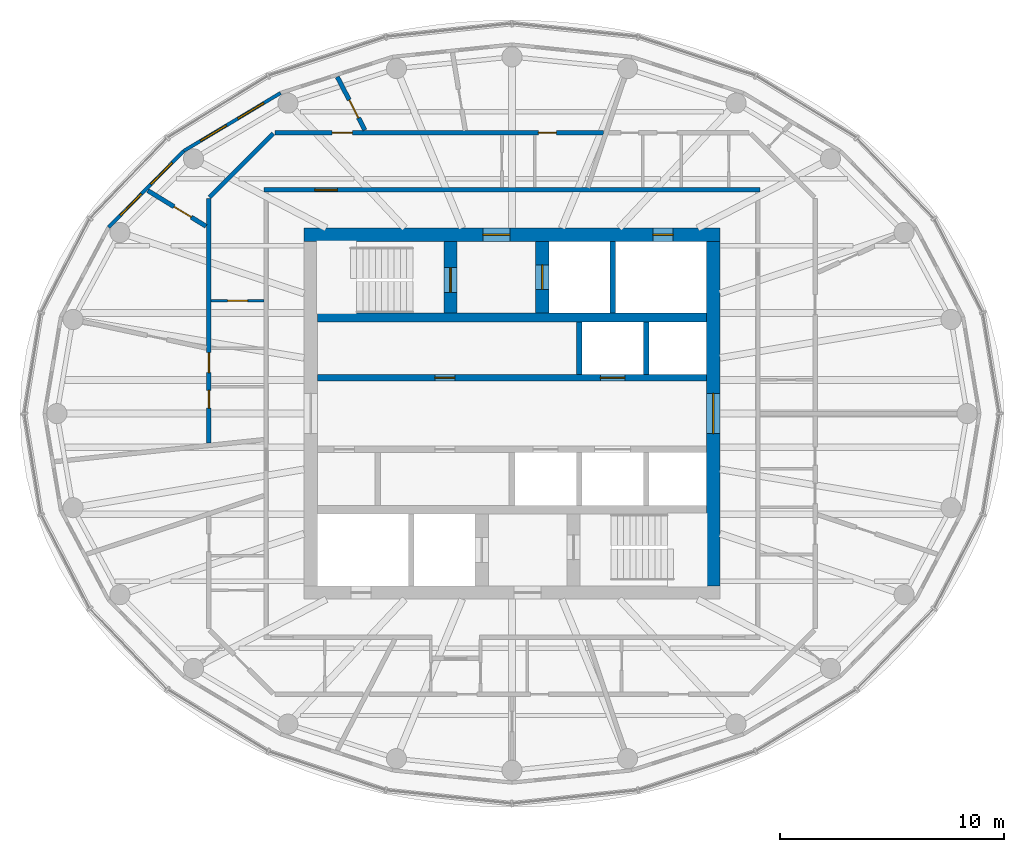
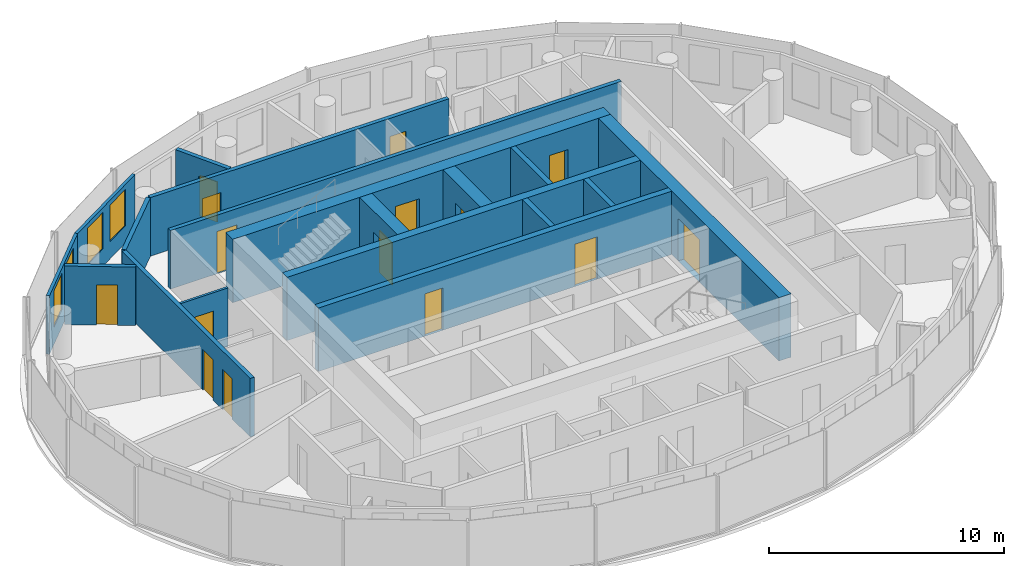
# One storey, part 7 of 11: 18 walls, 15 doors, 4 windows, 19 openings.
"""IFC4 building model written with IfcOpenShell, lengths in metres."""

from ifc_helpers import new_model, si_unit, direction, frame, frame_2d, origin, place, context, subcontext, project, spatial, rectangle, extrude, material, layer, layer_set, type_object, element, fill, save


model = new_model("IFC4")

# Units and contexts
model_context = context("Model", 3, precision=1e-05, world=origin(), true_north=direction((0.0, 1.0)))
body_context = subcontext(model_context, "Body", "Model", "MODEL_VIEW")
ifc_project = project(units=[si_unit("LENGTHUNIT", "METRE"), si_unit("AREAUNIT", "SQUARE_METRE"), si_unit("VOLUMEUNIT", "CUBIC_METRE"), si_unit("PLANEANGLEUNIT", "RADIAN"), si_unit("MASSUNIT", "GRAM", prefix="KILO")], contexts=[model_context])

# Site, building, storey
site_placement = place(None, origin())
site = spatial("IfcSite", under=ifc_project, at=site_placement, CompositionType="ELEMENT")
building_placement = place(site_placement, origin())
building = spatial("IfcBuilding", under=site, at=building_placement, Name="Hankou Lantern Tower", CompositionType="ELEMENT")
storey_placement = place(building_placement, frame((0.0, 0.0, 229.199951171875)))
storey = spatial("IfcBuildingStorey", under=building, at=storey_placement, Name="L62", CompositionType="ELEMENT", Elevation=229.199951171875)

# Wall, openings, doors
ifc_material_1 = material(Name="Concrete C60", Category="concrete")
ifc_layer_1 = layer(ifc_material_1, 0.60009765625)
ifc_layer_set_1 = layer_set([ifc_layer_1], Name="Concrete C60")
wall_type_1 = type_object("IfcWallType", Name="CW3 CORE WALL 600", PredefinedType="SHEAR", material=ifc_layer_set_1)
wall_1_placement = place(storey_placement, frame((-9.300048828125, 8.0, 0.0), z_axis=(0.0, 0.0, 1.0), x_axis=(1.0, 0.0, 0.0)))
wall_1 = element("IfcWall", 1, at=wall_1_placement, inside=storey, type_object=wall_type_1, Name="Core wall north L62", PredefinedType="SHEAR", context=body_context, shape_type="SweptSolid", body=[
    extrude(rectangle(XDim=18.60009765625, YDim=0.60009765625, at=frame_2d((9.300048828125, 0.0))), origin(), (0.0, 0.0, 1.0), 3.300048828125),
])
opening_1_placement = place(wall_1_placement, frame((8.0, 0.0, 0.0)))
opening_1 = element("IfcOpeningElement", 2, at=opening_1_placement, cuts=wall_1, Name="Opening D5", PredefinedType="OPENING", context=body_context, shape_type="SweptSolid", body=[
    extrude(rectangle(XDim=1.199951171875, YDim=2.199951171875, at=frame_2d((0.60009765625, 1.10009765625))), frame((0.0, 0.31005859375, 0.0), z_axis=(0.0, -1.0, 0.0), x_axis=(1.0, 0.0, 0.0)), (0.0, 0.0, 1.0), 0.6201171875),
])
opening_2_placement = place(wall_1_placement, frame((15.60009765625, 0.0, 0.0)))
opening_2 = element("IfcOpeningElement", 3, at=opening_2_placement, cuts=wall_1, Name="Opening D7", PredefinedType="OPENING", context=body_context, shape_type="SweptSolid", body=[
    extrude(rectangle(XDim=0.89990234375, YDim=2.199951171875, at=frame_2d((0.449951171875, 1.10009765625))), frame((0.0, 0.31005859375, 0.0), z_axis=(0.0, -1.0, 0.0), x_axis=(1.0, 0.0, 0.0)), (0.0, 0.0, 1.0), 0.6201171875),
])
ifc_material_2 = material(Name="Steel door leaf", Category="steel")
door_type_1 = type_object("IfcDoorType", Name="D5 STAIR LOBBY DOOR 1200X2200", OperationType="SINGLE_SWING_LEFT", PredefinedType="DOOR", material=ifc_material_2)
door_1_placement = place(opening_1_placement, origin())
door_1 = element("IfcDoor", 4, at=door_1_placement, inside=storey, type_object=door_type_1, Name="Stair A lobby door", OperationType="SINGLE_SWING_LEFT", OverallHeight=2.199951171875, OverallWidth=1.199951171875, PredefinedType="DOOR", context=body_context, shape_type="SweptSolid", body=[
    extrude(rectangle(XDim=1.199951171875, YDim=2.199951171875, at=frame_2d((0.60009765625, 1.10009765625))), frame((0.0, 0.02490234375, 0.0), z_axis=(0.0, -1.0, 0.0), x_axis=(1.0, 0.0, 0.0)), (0.0, 0.0, 1.0), 0.050048828125),
])
fill(opening_1, door_1)
ifc_material_3 = material(Name="Steel door leaf", Category="steel")
door_type_2 = type_object("IfcDoorType", Name="D7 RISER DOOR 900X2200", OperationType="SINGLE_SWING_LEFT", PredefinedType="DOOR", material=ifc_material_3)
door_2_placement = place(opening_2_placement, origin())
door_2 = element("IfcDoor", 5, at=door_2_placement, inside=storey, type_object=door_type_2, Name="Riser N1 door", OperationType="SINGLE_SWING_RIGHT", OverallHeight=2.199951171875, OverallWidth=0.89990234375, PredefinedType="DOOR", context=body_context, shape_type="SweptSolid", body=[
    extrude(rectangle(XDim=0.89990234375, YDim=2.199951171875, at=frame_2d((0.449951171875, 1.10009765625))), frame((0.0, 0.02490234375, 0.0), z_axis=(0.0, -1.0, 0.0), x_axis=(1.0, 0.0, 0.0)), (0.0, 0.0, 1.0), 0.050048828125),
])
fill(opening_2, door_2)

# Wall, opening, door
wall_2_placement = place(storey_placement, frame((9.0, -7.699951171875, 0.0), z_axis=(0.0, 0.0, 1.0), x_axis=(0.0, 1.0, 0.0)))
wall_2 = element("IfcWall", 6, at=wall_2_placement, inside=storey, type_object=wall_type_1, Name="Core wall east L62", PredefinedType="SHEAR", context=body_context, shape_type="SweptSolid", body=[
    extrude(rectangle(XDim=15.39990234375, YDim=0.60009765625, at=frame_2d((7.699951171875, 0.0))), origin(), (0.0, 0.0, 1.0), 3.300048828125),
])
opening_3_placement = place(wall_2_placement, frame((6.800048828125, 0.0, 0.0)))
opening_3 = element("IfcOpeningElement", 7, at=opening_3_placement, cuts=wall_2, Name="Opening D6", PredefinedType="OPENING", context=body_context, shape_type="SweptSolid", body=[
    extrude(rectangle(XDim=1.800048828125, YDim=2.199951171875, at=frame_2d((0.89990234375, 1.10009765625))), frame((0.0, 0.31005859375, 0.0), z_axis=(0.0, -1.0, 0.0), x_axis=(1.0, 0.0, 0.0)), (0.0, 0.0, 1.0), 0.6201171875),
])
ifc_material_4 = material(Name="Steel door leaf", Category="steel")
door_type_3 = type_object("IfcDoorType", Name="D6 LIFT LOBBY DOOR 1800X2200", OperationType="DOUBLE_DOOR_DOUBLE_SWING", PredefinedType="DOOR", material=ifc_material_4)
door_3_placement = place(opening_3_placement, origin())
door_3 = element("IfcDoor", 8, at=door_3_placement, inside=storey, type_object=door_type_3, Name="Lift lobby east door", OperationType="DOUBLE_DOOR_DOUBLE_SWING", OverallHeight=2.199951171875, OverallWidth=1.800048828125, PredefinedType="DOOR", context=body_context, shape_type="SweptSolid", body=[
    extrude(rectangle(XDim=1.800048828125, YDim=2.199951171875, at=frame_2d((0.89990234375, 1.10009765625))), frame((0.0, 0.02490234375, 0.0), z_axis=(0.0, -1.0, 0.0), x_axis=(1.0, 0.0, 0.0)), (0.0, 0.0, 1.0), 0.050048828125),
])
fill(opening_3, door_3)

# Wall
ifc_material_5 = material(Name="Concrete C60", Category="concrete")
ifc_layer_2 = layer(ifc_material_5, 0.39990234375)
ifc_layer_set_2 = layer_set([ifc_layer_2], Name="Concrete C60")
wall_type_2 = type_object("IfcWallType", Name="CW4 CORE CROSS WALL 400", PredefinedType="SHEAR", material=ifc_layer_set_2)
wall_3_placement = place(storey_placement, frame((-8.699951171875, 4.300048828125, 0.0), z_axis=(0.0, 0.0, 1.0), x_axis=(1.0, 0.0, 0.0)))
element("IfcWall", 9, at=wall_3_placement, inside=storey, type_object=wall_type_2, Name="Core band wall north L62", PredefinedType="SHEAR", context=body_context, shape_type="SweptSolid", body=[
    extrude(rectangle(XDim=17.39990234375, YDim=0.39990234375, at=frame_2d((8.699951171875, 0.0))), origin(), (0.0, 0.0, 1.0), 3.300048828125),
])

# Wall, openings, doors
ifc_material_6 = material(Name="Concrete C60", Category="concrete")
ifc_layer_3 = layer(ifc_material_6, 0.300048828125)
ifc_layer_set_3 = layer_set([ifc_layer_3], Name="Concrete C60")
wall_type_3 = type_object("IfcWallType", Name="CW5 LIFT LOBBY WALL 300", PredefinedType="SHEAR", material=ifc_layer_set_3)
wall_4_placement = place(storey_placement, frame((-8.699951171875, 1.60009765625, 0.0), z_axis=(0.0, 0.0, 1.0), x_axis=(1.0, 0.0, 0.0)))
wall_4 = element("IfcWall", 10, at=wall_4_placement, inside=storey, type_object=wall_type_3, Name="Lift lobby wall north L62", PredefinedType="SHEAR", context=body_context, shape_type="SweptSolid", body=[
    extrude(rectangle(XDim=17.39990234375, YDim=0.300048828125, at=frame_2d((8.699951171875, 0.0))), origin(), (0.0, 0.0, 1.0), 3.300048828125),
])
opening_4_placement = place(wall_4_placement, frame((12.64990234375, 0.0, 0.0)))
opening_4 = element("IfcOpeningElement", 11, at=opening_4_placement, cuts=wall_4, Name="Opening LD1", PredefinedType="OPENING", context=body_context, shape_type="SweptSolid", body=[
    extrude(rectangle(XDim=1.10009765625, YDim=2.199951171875, at=frame_2d((0.550048828125, 1.10009765625))), frame((0.0, 0.159912109375, 0.0), z_axis=(0.0, -1.0, 0.0), x_axis=(1.0, 0.0, 0.0)), (0.0, 0.0, 1.0), 0.320068359375),
])
opening_5_placement = place(wall_4_placement, frame((5.25, 0.0, 0.0)))
opening_5 = element("IfcOpeningElement", 12, at=opening_5_placement, cuts=wall_4, Name="Opening D30", PredefinedType="OPENING", context=body_context, shape_type="SweptSolid", body=[
    extrude(rectangle(XDim=0.89990234375, YDim=2.199951171875, at=frame_2d((0.449951171875, 1.10009765625))), frame((0.0, 0.159912109375, 0.0), z_axis=(0.0, -1.0, 0.0), x_axis=(1.0, 0.0, 0.0)), (0.0, 0.0, 1.0), 0.320068359375),
])
ifc_material_7 = material(Name="Steel door leaf", Category="steel")
door_type_4 = type_object("IfcDoorType", Name="D30 CORE ROOM DOOR 900X2200", OperationType="SINGLE_SWING_LEFT", PredefinedType="DOOR", material=ifc_material_7)
door_4_placement = place(opening_5_placement, origin())
door_4 = element("IfcDoor", 13, at=door_4_placement, inside=storey, type_object=door_type_4, Name="Housekeeping and linen store door", OperationType="SINGLE_SWING_LEFT", OverallHeight=2.199951171875, OverallWidth=0.89990234375, PredefinedType="DOOR", context=body_context, shape_type="SweptSolid", body=[
    extrude(rectangle(XDim=0.89990234375, YDim=2.199951171875, at=frame_2d((0.449951171875, 1.10009765625))), frame((0.0, 0.02490234375, 0.0), z_axis=(0.0, -1.0, 0.0), x_axis=(1.0, 0.0, 0.0)), (0.0, 0.0, 1.0), 0.050048828125),
])
fill(opening_5, door_4)
ifc_material_8 = material(Name="Steel door leaf", Category="steel")
door_type_5 = type_object("IfcDoorType", Name="LD1 LIFT LANDING DOOR 1100X2200", OperationType="DOUBLE_DOOR_SLIDING", PredefinedType="DOOR", material=ifc_material_8)
door_5_placement = place(opening_4_placement, origin())
door_5 = element("IfcDoor", 14, at=door_5_placement, inside=storey, type_object=door_type_5, Name="Lift T1 landing door", OperationType="DOUBLE_DOOR_SLIDING", OverallHeight=2.199951171875, OverallWidth=1.10009765625, PredefinedType="DOOR", context=body_context, shape_type="SweptSolid", body=[
    extrude(rectangle(XDim=1.10009765625, YDim=2.199951171875, at=frame_2d((0.550048828125, 1.10009765625))), frame((0.0, 0.02490234375, 0.0), z_axis=(0.0, -1.0, 0.0), x_axis=(1.0, 0.0, 0.0)), (0.0, 0.0, 1.0), 0.050048828125),
])
fill(opening_4, door_5)

# Wall, opening, door
ifc_material_9 = material(Name="Concrete C60", Category="concrete")
ifc_layer_4 = layer(ifc_material_9, 0.60009765625)
ifc_layer_set_4 = layer_set([ifc_layer_4], Name="Concrete C60")
wall_type_4 = type_object("IfcWallType", Name="CW6 STAIR AND SHAFT WALL 600", PredefinedType="SHEAR", material=ifc_layer_set_4)
wall_5_placement = place(storey_placement, frame((-2.75, 4.5, 0.0), z_axis=(0.0, 0.0, 1.0), x_axis=(0.0, 1.0, 0.0)))
wall_5 = element("IfcWall", 15, at=wall_5_placement, inside=storey, type_object=wall_type_4, Name="Stair wall L62", PredefinedType="SHEAR", context=body_context, shape_type="SweptSolid", body=[
    extrude(rectangle(XDim=3.199951171875, YDim=0.60009765625, at=frame_2d((1.60009765625, 0.0))), origin(), (0.0, 0.0, 1.0), 3.300048828125),
])
opening_6_placement = place(wall_5_placement, frame((0.925048828125, 0.0, 0.0)))
opening_6 = element("IfcOpeningElement", 16, at=opening_6_placement, cuts=wall_5, Name="Opening D4", PredefinedType="OPENING", context=body_context, shape_type="SweptSolid", body=[
    extrude(rectangle(XDim=1.10009765625, YDim=2.199951171875, at=frame_2d((0.550048828125, 1.10009765625))), frame((0.0, 0.31005859375, 0.0), z_axis=(0.0, -1.0, 0.0), x_axis=(1.0, 0.0, 0.0)), (0.0, 0.0, 1.0), 0.6201171875),
])
ifc_material_10 = material(Name="Steel door leaf", Category="steel")
door_type_6 = type_object("IfcDoorType", Name="D4 STAIR DOOR 1100X2200", OperationType="SINGLE_SWING_LEFT", PredefinedType="DOOR", material=ifc_material_10)
door_6_placement = place(opening_6_placement, origin())
door_6 = element("IfcDoor", 17, at=door_6_placement, inside=storey, type_object=door_type_6, Name="Stair A door", OperationType="SINGLE_SWING_LEFT", OverallHeight=2.199951171875, OverallWidth=1.10009765625, PredefinedType="DOOR", context=body_context, shape_type="SweptSolid", body=[
    extrude(rectangle(XDim=1.10009765625, YDim=2.199951171875, at=frame_2d((0.550048828125, 1.10009765625))), frame((0.0, 0.02490234375, 0.0), z_axis=(0.0, -1.0, 0.0), x_axis=(1.0, 0.0, 0.0)), (0.0, 0.0, 1.0), 0.050048828125),
])
fill(opening_6, door_6)

wall_6_placement = place(storey_placement, frame((1.35009765625, 4.5, 0.0), z_axis=(0.0, 0.0, 1.0), x_axis=(0.0, 1.0, 0.0)))
wall_6 = element("IfcWall", 18, at=wall_6_placement, inside=storey, type_object=wall_type_4, Name="Firefighting lift shaft wall L62", PredefinedType="SHEAR", context=body_context, shape_type="SweptSolid", body=[
    extrude(rectangle(XDim=3.199951171875, YDim=0.60009765625, at=frame_2d((1.60009765625, 0.0))), origin(), (0.0, 0.0, 1.0), 3.300048828125),
])
opening_7_placement = place(wall_6_placement, frame((1.050048828125, 0.0, 0.0)))
opening_7 = element("IfcOpeningElement", 19, at=opening_7_placement, cuts=wall_6, Name="Opening LD2", PredefinedType="OPENING", context=body_context, shape_type="SweptSolid", body=[
    extrude(rectangle(XDim=1.10009765625, YDim=2.199951171875, at=frame_2d((0.550048828125, 1.10009765625))), frame((0.0, 0.31005859375, 0.0), z_axis=(0.0, -1.0, 0.0), x_axis=(1.0, 0.0, 0.0)), (0.0, 0.0, 1.0), 0.6201171875),
])
ifc_material_11 = material(Name="Steel door leaf", Category="steel")
door_type_7 = type_object("IfcDoorType", Name="LD2 FIREFIGHTING LIFT LANDING DOOR 1100X2200", OperationType="DOUBLE_DOOR_SLIDING", PredefinedType="DOOR", material=ifc_material_11)
door_7_placement = place(opening_7_placement, origin())
door_7 = element("IfcDoor", 20, at=door_7_placement, inside=storey, type_object=door_type_7, Name="Firefighting lift FL1 landing door", OperationType="DOUBLE_DOOR_SLIDING", OverallHeight=2.199951171875, OverallWidth=1.10009765625, PredefinedType="DOOR", context=body_context, shape_type="SweptSolid", body=[
    extrude(rectangle(XDim=1.10009765625, YDim=2.199951171875, at=frame_2d((0.550048828125, 1.10009765625))), frame((0.0, 0.02490234375, 0.0), z_axis=(0.0, -1.0, 0.0), x_axis=(1.0, 0.0, 0.0)), (0.0, 0.0, 1.0), 0.050048828125),
])
fill(opening_7, door_7)

# Wall, openings, windows
ifc_material_12 = material(Name="Aluminium spandrel panel on steel studs", Category="steel")
ifc_layer_5 = layer(ifc_material_12, 0.14990234375)
ifc_layer_set_5 = layer_set([ifc_layer_5], Name="Aluminium spandrel panel on steel studs")
wall_type_5 = type_object("IfcWallType", Name="EW1 INNER SKIN WALL 150", PredefinedType="ELEMENTEDWALL", material=ifc_layer_set_5)
wall_7_placement = place(storey_placement, frame((-10.346435546875, 14.33642578125, 0.0), z_axis=(0.0, 0.0, 1.0), x_axis=(-0.85822150553, -0.513279502265, 0.0)))
wall_7 = element("IfcWall", 21, at=wall_7_placement, inside=storey, type_object=wall_type_5, Name="Inner skin R09-R10 L62", PredefinedType="ELEMENTEDWALL", context=body_context, shape_type="SweptSolid", body=[
    extrude(rectangle(XDim=5.050048828125, YDim=0.14990234375, at=frame_2d((2.52490234375, 0.0))), origin(), (0.0, 0.0, 1.0), 3.050048828125),
])
opening_8_placement = place(wall_7_placement, frame((0.875, 0.0, 0.89990234375)))
opening_8 = element("IfcOpeningElement", 22, at=opening_8_placement, cuts=wall_7, Name="Opening W4", PredefinedType="OPENING", context=body_context, shape_type="SweptSolid", body=[
    extrude(rectangle(XDim=1.35009765625, YDim=1.89990234375, at=frame_2d((0.675048828125, 0.949951171875))), frame((0.0, 0.0849609375, 0.0), z_axis=(0.0, -1.0, 0.0), x_axis=(1.0, 0.0, 0.0)), (0.0, 0.0, 1.0), 0.169921875),
])
opening_9_placement = place(wall_7_placement, frame((2.824951171875, 0.0, 0.89990234375)))
opening_9 = element("IfcOpeningElement", 23, at=opening_9_placement, cuts=wall_7, Name="Opening W4", PredefinedType="OPENING", context=body_context, shape_type="SweptSolid", body=[
    extrude(rectangle(XDim=1.35009765625, YDim=1.89990234375, at=frame_2d((0.675048828125, 0.949951171875))), frame((0.0, 0.0849609375, 0.0), z_axis=(0.0, -1.0, 0.0), x_axis=(1.0, 0.0, 0.0)), (0.0, 0.0, 1.0), 0.169921875),
])
ifc_material_13 = material(Name="Aluminium framed double glazed window", Category="aluminium")
window_type = type_object("IfcWindowType", Name="W4 SUITE WINDOW 1350X1900", PartitioningType="DOUBLE_PANEL_VERTICAL", PredefinedType="WINDOW", material=ifc_material_13)
window_1_placement = place(opening_8_placement, origin())
window_1 = element("IfcWindow", 24, at=window_1_placement, inside=storey, type_object=window_type, Name="Window R09.1 L62", OverallHeight=1.89990234375, OverallWidth=1.35009765625, PartitioningType="SINGLE_PANEL", PredefinedType="WINDOW", context=body_context, shape_type="SweptSolid", body=[
    extrude(rectangle(XDim=1.35009765625, YDim=1.89990234375, at=frame_2d((0.675048828125, 0.949951171875))), frame((0.0, 0.030029296875, 0.0), z_axis=(0.0, -1.0, 0.0), x_axis=(1.0, 0.0, 0.0)), (0.0, 0.0, 1.0), 0.06005859375),
])
fill(opening_8, window_1)
window_2_placement = place(opening_9_placement, origin())
window_2 = element("IfcWindow", 25, at=window_2_placement, inside=storey, type_object=window_type, Name="Window R09.2 L62", OverallHeight=1.89990234375, OverallWidth=1.35009765625, PartitioningType="SINGLE_PANEL", PredefinedType="WINDOW", context=body_context, shape_type="SweptSolid", body=[
    extrude(rectangle(XDim=1.35009765625, YDim=1.89990234375, at=frame_2d((0.675048828125, 0.949951171875))), frame((0.0, 0.030029296875, 0.0), z_axis=(0.0, -1.0, 0.0), x_axis=(1.0, 0.0, 0.0)), (0.0, 0.0, 1.0), 0.06005859375),
])
fill(opening_9, window_2)

wall_8_placement = place(storey_placement, frame((-14.680419921875, 11.744384765625, 0.0), z_axis=(0.0, 0.0, 1.0), x_axis=(-0.701527379618, -0.712642501993, 0.0)))
wall_8 = element("IfcWall", 26, at=wall_8_placement, inside=storey, type_object=wall_type_5, Name="Inner skin R10-R11 L62", PredefinedType="ELEMENTEDWALL", context=body_context, shape_type="SweptSolid", body=[
    extrude(rectangle(XDim=4.788330078125, YDim=0.14990234375, at=frame_2d((2.39404296875, 0.0))), origin(), (0.0, 0.0, 1.0), 3.050048828125),
])
opening_10_placement = place(wall_8_placement, frame((0.744140625, 0.0, 0.89990234375)))
opening_10 = element("IfcOpeningElement", 27, at=opening_10_placement, cuts=wall_8, Name="Opening W4", PredefinedType="OPENING", context=body_context, shape_type="SweptSolid", body=[
    extrude(rectangle(XDim=1.35009765625, YDim=1.89990234375, at=frame_2d((0.675048828125, 0.949951171875))), frame((0.0, 0.0849609375, 0.0), z_axis=(0.0, -1.0, 0.0), x_axis=(1.0, 0.0, 0.0)), (0.0, 0.0, 1.0), 0.169921875),
])
opening_11_placement = place(wall_8_placement, frame((2.694091796875, 0.0, 0.89990234375)))
opening_11 = element("IfcOpeningElement", 28, at=opening_11_placement, cuts=wall_8, Name="Opening W4", PredefinedType="OPENING", context=body_context, shape_type="SweptSolid", body=[
    extrude(rectangle(XDim=1.35009765625, YDim=1.89990234375, at=frame_2d((0.675048828125, 0.949951171875))), frame((0.0, 0.0849609375, 0.0), z_axis=(0.0, -1.0, 0.0), x_axis=(1.0, 0.0, 0.0)), (0.0, 0.0, 1.0), 0.169921875),
])
window_3_placement = place(opening_10_placement, origin())
window_3 = element("IfcWindow", 29, at=window_3_placement, inside=storey, type_object=window_type, Name="Window R10.1 L62", OverallHeight=1.89990234375, OverallWidth=1.35009765625, PartitioningType="SINGLE_PANEL", PredefinedType="WINDOW", context=body_context, shape_type="SweptSolid", body=[
    extrude(rectangle(XDim=1.35009765625, YDim=1.89990234375, at=frame_2d((0.675048828125, 0.949951171875))), frame((0.0, 0.030029296875, 0.0), z_axis=(0.0, -1.0, 0.0), x_axis=(1.0, 0.0, 0.0)), (0.0, 0.0, 1.0), 0.06005859375),
])
fill(opening_10, window_3)
window_4_placement = place(opening_11_placement, origin())
window_4 = element("IfcWindow", 30, at=window_4_placement, inside=storey, type_object=window_type, Name="Window R10.2 L62", OverallHeight=1.89990234375, OverallWidth=1.35009765625, PartitioningType="SINGLE_PANEL", PredefinedType="WINDOW", context=body_context, shape_type="SweptSolid", body=[
    extrude(rectangle(XDim=1.35009765625, YDim=1.89990234375, at=frame_2d((0.675048828125, 0.949951171875))), frame((0.0, 0.030029296875, 0.0), z_axis=(0.0, -1.0, 0.0), x_axis=(1.0, 0.0, 0.0)), (0.0, 0.0, 1.0), 0.06005859375),
])
fill(opening_11, window_4)

# Wall, opening, door
ifc_material_14 = material(Name="Masonry lightweight concrete block", Category="masonry")
ifc_layer_6 = layer(ifc_material_14, 0.199951171875)
ifc_layer_set_6 = layer_set([ifc_layer_6], Name="Masonry lightweight concrete block")
wall_type_6 = type_object("IfcWallType", Name="IW2 CORRIDOR WALL 200", PredefinedType="PARTITIONING", material=ifc_layer_set_6)
wall_9_placement = place(storey_placement, frame((-11.10009765625, 10.0, 0.0), z_axis=(0.0, 0.0, 1.0), x_axis=(1.0, 0.0, 0.0)))
wall_9 = element("IfcWall", 31, at=wall_9_placement, inside=storey, type_object=wall_type_6, Name="Corridor wall north", PredefinedType="PARTITIONING", context=body_context, shape_type="SweptSolid", body=[
    extrude(rectangle(XDim=22.2001953125, YDim=0.199951171875, at=frame_2d((11.10009765625, 0.0))), origin(), (0.0, 0.0, 1.0), 3.050048828125),
])
opening_12_placement = place(wall_9_placement, frame((2.289794921875, 0.0, 0.0)))
opening_12 = element("IfcOpeningElement", 32, at=opening_12_placement, cuts=wall_9, Name="Opening D2", PredefinedType="OPENING", context=body_context, shape_type="SweptSolid", body=[
    extrude(rectangle(XDim=1.0, YDim=2.199951171875, at=frame_2d((0.5, 1.10009765625))), frame((0.0, 0.10986328125, 0.0), z_axis=(0.0, -1.0, 0.0), x_axis=(1.0, 0.0, 0.0)), (0.0, 0.0, 1.0), 0.219970703125),
])
ifc_material_15 = material(Name="Steel door leaf", Category="steel")
door_type_8 = type_object("IfcDoorType", Name="D2 SUITE DOOR 1000X2200", OperationType="SINGLE_SWING_LEFT", PredefinedType="DOOR", material=ifc_material_15)
door_8_placement = place(opening_12_placement, origin())
door_8 = element("IfcDoor", 33, at=door_8_placement, inside=storey, type_object=door_type_8, Name="Suite door 6202", OperationType="SINGLE_SWING_RIGHT", OverallHeight=2.199951171875, OverallWidth=1.0, PredefinedType="DOOR", context=body_context, shape_type="SweptSolid", body=[
    extrude(rectangle(XDim=1.0, YDim=2.199951171875, at=frame_2d((0.5, 1.10009765625))), frame((0.0, 0.02490234375, 0.0), z_axis=(0.0, -1.0, 0.0), x_axis=(1.0, 0.0, 0.0)), (0.0, 0.0, 1.0), 0.050048828125),
])
fill(opening_12, door_8)

ifc_material_16 = material(Name="Masonry lightweight concrete block", Category="masonry")
ifc_layer_7 = layer(ifc_material_16, 0.1201171875)
ifc_layer_set_7 = layer_set([ifc_layer_7], Name="Masonry lightweight concrete block")
wall_type_7 = type_object("IfcWallType", Name="IW3 BATHROOM WALL 120", PredefinedType="PARTITIONING", material=ifc_layer_set_7)
wall_10_placement = place(storey_placement, frame((-11.10009765625, 5.043701171875, 0.0), z_axis=(0.0, 0.0, 1.0), x_axis=(-1.0, 0.0, 0.0)))
wall_10 = element("IfcWall", 34, at=wall_10_placement, inside=storey, type_object=wall_type_7, Name="Box wall 6202 3", PredefinedType="PARTITIONING", context=body_context, shape_type="SweptSolid", body=[
    extrude(rectangle(XDim=2.349853515625, YDim=0.1201171875, at=frame_2d((1.1748046875, 0.0))), origin(), (0.0, 0.0, 1.0), 3.050048828125),
])
opening_13_placement = place(wall_10_placement, frame((0.719970703125, 0.0, 0.0)))
opening_13 = element("IfcOpeningElement", 35, at=opening_13_placement, cuts=wall_10, Name="Opening D27", PredefinedType="OPENING", context=body_context, shape_type="SweptSolid", body=[
    extrude(rectangle(XDim=0.89990234375, YDim=2.10009765625, at=frame_2d((0.449951171875, 1.050048828125))), frame((0.0, 0.070068359375, 0.0), z_axis=(0.0, -1.0, 0.0), x_axis=(1.0, 0.0, 0.0)), (0.0, 0.0, 1.0), 0.14013671875),
])
ifc_material_17 = material(Name="Timber door leaf", Category="wood")
door_type_9 = type_object("IfcDoorType", Name="D27 INTERNAL DOOR 900X2100", OperationType="SINGLE_SWING_LEFT", PredefinedType="DOOR", material=ifc_material_17)
door_9_placement = place(opening_13_placement, origin())
door_9 = element("IfcDoor", 36, at=door_9_placement, inside=storey, type_object=door_type_9, Name="Presidential suite 6202 butler pantry door", OperationType="SINGLE_SWING_LEFT", OverallHeight=2.10009765625, OverallWidth=0.89990234375, PredefinedType="DOOR", context=body_context, shape_type="SweptSolid", body=[
    extrude(rectangle(XDim=0.89990234375, YDim=2.10009765625, at=frame_2d((0.449951171875, 1.050048828125))), frame((0.0, 0.02490234375, 0.0), z_axis=(0.0, -1.0, 0.0), x_axis=(1.0, 0.0, 0.0)), (0.0, 0.0, 1.0), 0.050048828125),
])
fill(opening_13, door_9)

# Wall, openings, doors
ifc_material_18 = material(Name="Masonry lightweight concrete block", Category="masonry")
ifc_layer_8 = layer(ifc_material_18, 0.199951171875)
ifc_layer_set_8 = layer_set([ifc_layer_8], Name="Masonry lightweight concrete block")
wall_type_8 = type_object("IfcWallType", Name="IW6 SUITE PARTITION 200", PredefinedType="PARTITIONING", material=ifc_layer_set_8)
wall_11_placement = place(storey_placement, frame((4.08203125, 12.550048828125, 0.0), z_axis=(0.0, 0.0, 1.0), x_axis=(-1.0, 0.0, 0.0)))
wall_11 = element("IfcWall", 37, at=wall_11_placement, inside=storey, type_object=wall_type_8, Name="Suite foyer wall 6202", PredefinedType="PARTITIONING", context=body_context, shape_type="SweptSolid", body=[
    extrude(rectangle(XDim=14.690673828125, YDim=0.199951171875, at=frame_2d((7.34521484375, 0.0))), origin(), (0.0, 0.0, 1.0), 3.050048828125),
])
opening_14_placement = place(wall_11_placement, frame((2.102294921875, 0.0, 0.0)))
opening_14 = element("IfcOpeningElement", 38, at=opening_14_placement, cuts=wall_11, Name="Opening D3", PredefinedType="OPENING", context=body_context, shape_type="SweptSolid", body=[
    extrude(rectangle(XDim=0.800048828125, YDim=2.10009765625, at=frame_2d((0.39990234375, 1.050048828125))), frame((0.0, 0.10986328125, 0.0), z_axis=(0.0, -1.0, 0.0), x_axis=(1.0, 0.0, 0.0)), (0.0, 0.0, 1.0), 0.219970703125),
])
opening_15_placement = place(wall_11_placement, frame((11.219970703125, 0.0, 0.0)))
opening_15 = element("IfcOpeningElement", 39, at=opening_15_placement, cuts=wall_11, Name="Opening D27", PredefinedType="OPENING", context=body_context, shape_type="SweptSolid", body=[
    extrude(rectangle(XDim=0.89990234375, YDim=2.10009765625, at=frame_2d((0.449951171875, 1.050048828125))), frame((0.0, 0.10986328125, 0.0), z_axis=(0.0, -1.0, 0.0), x_axis=(1.0, 0.0, 0.0)), (0.0, 0.0, 1.0), 0.219970703125),
])
door_10_placement = place(opening_15_placement, origin())
door_10 = element("IfcDoor", 40, at=door_10_placement, inside=storey, type_object=door_type_9, Name="Presidential suite 6202 living room door", OperationType="SINGLE_SWING_LEFT", OverallHeight=2.10009765625, OverallWidth=0.89990234375, PredefinedType="DOOR", context=body_context, shape_type="SweptSolid", body=[
    extrude(rectangle(XDim=0.89990234375, YDim=2.10009765625, at=frame_2d((0.449951171875, 1.050048828125))), frame((0.0, 0.02490234375, 0.0), z_axis=(0.0, -1.0, 0.0), x_axis=(1.0, 0.0, 0.0)), (0.0, 0.0, 1.0), 0.050048828125),
])
fill(opening_15, door_10)
ifc_material_19 = material(Name="Timber door leaf", Category="wood")
door_type_10 = type_object("IfcDoorType", Name="D3 BATHROOM DOOR 800X2100", OperationType="SINGLE_SWING_LEFT", PredefinedType="DOOR", material=ifc_material_19)
door_11_placement = place(opening_14_placement, origin())
door_11 = element("IfcDoor", 41, at=door_11_placement, inside=storey, type_object=door_type_10, Name="Presidential suite 6202 guest bathroom door", OperationType="SINGLE_SWING_RIGHT", OverallHeight=2.10009765625, OverallWidth=0.800048828125, PredefinedType="DOOR", context=body_context, shape_type="SweptSolid", body=[
    extrude(rectangle(XDim=0.800048828125, YDim=2.10009765625, at=frame_2d((0.39990234375, 1.050048828125))), frame((0.0, 0.02490234375, 0.0), z_axis=(0.0, -1.0, 0.0), x_axis=(1.0, 0.0, 0.0)), (0.0, 0.0, 1.0), 0.050048828125),
])
fill(opening_14, door_11)

# Wall
wall_12_placement = place(storey_placement, frame((-10.67919921875, 12.520751953125, 0.0), z_axis=(0.0, 0.0, 1.0), x_axis=(-0.707106781187, -0.707106781187, 0.0)))
element("IfcWall", 42, at=wall_12_placement, inside=storey, type_object=wall_type_8, Name="Suite foyer wall 6202", PredefinedType="PARTITIONING", context=body_context, shape_type="SweptSolid", body=[
    extrude(rectangle(XDim=4.0185546875, YDim=0.199951171875, at=frame_2d((2.00927734375, 0.0))), origin(), (0.0, 0.0, 1.0), 3.050048828125),
])

# Wall, openings, doors
wall_13_placement = place(storey_placement, frame((-13.550048828125, 9.608642578125, 0.0), z_axis=(0.0, 0.0, 1.0), x_axis=(0.0, -1.0, 0.0)))
wall_13 = element("IfcWall", 43, at=wall_13_placement, inside=storey, type_object=wall_type_8, Name="Suite foyer wall 6202", PredefinedType="PARTITIONING", context=body_context, shape_type="SweptSolid", body=[
    extrude(rectangle(XDim=10.930419921875, YDim=0.199951171875, at=frame_2d((5.46533203125, 0.0))), origin(), (0.0, 0.0, 1.0), 3.050048828125),
])
opening_16_placement = place(wall_13_placement, frame((6.876953125, 0.0, 0.0)))
opening_16 = element("IfcOpeningElement", 44, at=opening_16_placement, cuts=wall_13, Name="Opening D27", PredefinedType="OPENING", context=body_context, shape_type="SweptSolid", body=[
    extrude(rectangle(XDim=0.89990234375, YDim=2.10009765625, at=frame_2d((0.449951171875, 1.050048828125))), frame((0.0, 0.10986328125, 0.0), z_axis=(0.0, -1.0, 0.0), x_axis=(1.0, 0.0, 0.0)), (0.0, 0.0, 1.0), 0.219970703125),
])
opening_17_placement = place(wall_13_placement, frame((8.56494140625, 0.0, 0.0)))
opening_17 = element("IfcOpeningElement", 45, at=opening_17_placement, cuts=wall_13, Name="Opening D3", PredefinedType="OPENING", context=body_context, shape_type="SweptSolid", body=[
    extrude(rectangle(XDim=0.800048828125, YDim=2.10009765625, at=frame_2d((0.39990234375, 1.050048828125))), frame((0.0, 0.10986328125, 0.0), z_axis=(0.0, -1.0, 0.0), x_axis=(1.0, 0.0, 0.0)), (0.0, 0.0, 1.0), 0.219970703125),
])
door_12_placement = place(opening_16_placement, origin())
door_12 = element("IfcDoor", 46, at=door_12_placement, inside=storey, type_object=door_type_9, Name="Presidential suite 6202 walk-in wardrobe door", OperationType="SINGLE_SWING_LEFT", OverallHeight=2.10009765625, OverallWidth=0.89990234375, PredefinedType="DOOR", context=body_context, shape_type="SweptSolid", body=[
    extrude(rectangle(XDim=0.89990234375, YDim=2.10009765625, at=frame_2d((0.449951171875, 1.050048828125))), frame((0.0, 0.02490234375, 0.0), z_axis=(0.0, -1.0, 0.0), x_axis=(1.0, 0.0, 0.0)), (0.0, 0.0, 1.0), 0.050048828125),
])
fill(opening_16, door_12)
door_13_placement = place(opening_17_placement, origin())
door_13 = element("IfcDoor", 47, at=door_13_placement, inside=storey, type_object=door_type_10, Name="Presidential suite 6202 master bathroom door", OperationType="SINGLE_SWING_LEFT", OverallHeight=2.10009765625, OverallWidth=0.800048828125, PredefinedType="DOOR", context=body_context, shape_type="SweptSolid", body=[
    extrude(rectangle(XDim=0.800048828125, YDim=2.10009765625, at=frame_2d((0.39990234375, 1.050048828125))), frame((0.0, 0.02490234375, 0.0), z_axis=(0.0, -1.0, 0.0), x_axis=(1.0, 0.0, 0.0)), (0.0, 0.0, 1.0), 0.050048828125),
])
fill(opening_17, door_13)

# Wall, opening, door
wall_14_placement = place(storey_placement, frame((-6.578125, 12.676513671875, 0.0), z_axis=(0.0, 0.0, 1.0), x_axis=(-0.460620531465, 0.887597164255, 0.0)))
wall_14 = element("IfcWall", 48, at=wall_14_placement, inside=storey, type_object=wall_type_8, Name="Suite partition R08-R09", PredefinedType="PARTITIONING", context=body_context, shape_type="SweptSolid", body=[
    extrude(rectangle(XDim=2.677734375, YDim=0.199951171875, at=frame_2d((1.3388671875, 0.0))), origin(), (0.0, 0.0, 1.0), 3.050048828125),
])
opening_18_placement = place(wall_14_placement, frame((0.6201171875, 0.0, 0.0)))
opening_18 = element("IfcOpeningElement", 49, at=opening_18_placement, cuts=wall_14, Name="Opening D27", PredefinedType="OPENING", context=body_context, shape_type="SweptSolid", body=[
    extrude(rectangle(XDim=0.89990234375, YDim=2.10009765625, at=frame_2d((0.449951171875, 1.050048828125))), frame((0.0, 0.10986328125, 0.0), z_axis=(0.0, -1.0, 0.0), x_axis=(1.0, 0.0, 0.0)), (0.0, 0.0, 1.0), 0.219970703125),
])
door_14_placement = place(opening_18_placement, origin())
door_14 = element("IfcDoor", 50, at=door_14_placement, inside=storey, type_object=door_type_9, Name="Presidential suite 6202 study door", OperationType="SINGLE_SWING_LEFT", OverallHeight=2.10009765625, OverallWidth=0.89990234375, PredefinedType="DOOR", context=body_context, shape_type="SweptSolid", body=[
    extrude(rectangle(XDim=0.89990234375, YDim=2.10009765625, at=frame_2d((0.449951171875, 1.050048828125))), frame((0.0, 0.02490234375, 0.0), z_axis=(0.0, -1.0, 0.0), x_axis=(1.0, 0.0, 0.0)), (0.0, 0.0, 1.0), 0.050048828125),
])
fill(opening_18, door_14)

wall_15_placement = place(storey_placement, frame((-13.68408203125, 8.379638671875, 0.0), z_axis=(0.0, 0.0, 1.0), x_axis=(-0.852784302627, 0.522263279576, 0.0)))
wall_15 = element("IfcWall", 51, at=wall_15_placement, inside=storey, type_object=wall_type_8, Name="Suite partition R10-R11", PredefinedType="PARTITIONING", context=body_context, shape_type="SweptSolid", body=[
    extrude(rectangle(XDim=3.046875, YDim=0.199951171875, at=frame_2d((1.5234375, 0.0))), origin(), (0.0, 0.0, 1.0), 3.050048828125),
])
opening_19_placement = place(wall_15_placement, frame((0.77001953125, 0.0, 0.0)))
opening_19 = element("IfcOpeningElement", 52, at=opening_19_placement, cuts=wall_15, Name="Opening D27", PredefinedType="OPENING", context=body_context, shape_type="SweptSolid", body=[
    extrude(rectangle(XDim=0.89990234375, YDim=2.10009765625, at=frame_2d((0.449951171875, 1.050048828125))), frame((0.0, 0.10986328125, 0.0), z_axis=(0.0, -1.0, 0.0), x_axis=(1.0, 0.0, 0.0)), (0.0, 0.0, 1.0), 0.219970703125),
])
door_15_placement = place(opening_19_placement, origin())
door_15 = element("IfcDoor", 53, at=door_15_placement, inside=storey, type_object=door_type_9, Name="Presidential suite 6202 dining room door", OperationType="SINGLE_SWING_LEFT", OverallHeight=2.10009765625, OverallWidth=0.89990234375, PredefinedType="DOOR", context=body_context, shape_type="SweptSolid", body=[
    extrude(rectangle(XDim=0.89990234375, YDim=2.10009765625, at=frame_2d((0.449951171875, 1.050048828125))), frame((0.0, 0.02490234375, 0.0), z_axis=(0.0, -1.0, 0.0), x_axis=(1.0, 0.0, 0.0)), (0.0, 0.0, 1.0), 0.050048828125),
])
fill(opening_19, door_15)

# Walls
ifc_material_20 = material(Name="Masonry autoclaved aerated concrete block", Category="masonry")
ifc_layer_9 = layer(ifc_material_20, 0.25)
ifc_layer_set_9 = layer_set([ifc_layer_9], Name="Masonry autoclaved aerated concrete block")
wall_type_9 = type_object("IfcWallType", Name="SW1 SHAFT BLOCK WALL 250", PredefinedType="PARTITIONING", material=ifc_layer_set_9)
wall_16_placement = place(storey_placement, frame((4.5, 4.5, 0.0), z_axis=(0.0, 0.0, 1.0), x_axis=(0.0, 1.0, 0.0)))
element("IfcWall", 54, at=wall_16_placement, inside=storey, type_object=wall_type_9, Name="Riser wall L62", PredefinedType="PARTITIONING", context=body_context, shape_type="SweptSolid", body=[
    extrude(rectangle(XDim=3.199951171875, YDim=0.25, at=frame_2d((1.60009765625, 0.0))), origin(), (0.0, 0.0, 1.0), 3.300048828125),
])
for number, where, z_axis, x_axis, name in (
    (55, (3.0, 1.75, 0.0), (0.0, 0.0, 1.0), (0.0, 1.0, 0.0), "Lift shaft wall L62"),
    (56, (6.0, 1.75, 0.0), (0.0, 0.0, 1.0), (0.0, 1.0, 0.0), "Lift shaft wall L62"),
):
    element("IfcWall", number, at=place(storey_placement, frame(where, z_axis=z_axis, x_axis=x_axis)), inside=storey, type_object=wall_type_9, Name=name, PredefinedType="PARTITIONING", context=body_context, shape_type="SweptSolid", body=[
        extrude(rectangle(XDim=2.35009765625, YDim=0.25, at=frame_2d((1.175048828125, 0.0))), origin(), (0.0, 0.0, 1.0), 3.300048828125),
    ])

save(model, "model.ifc")
